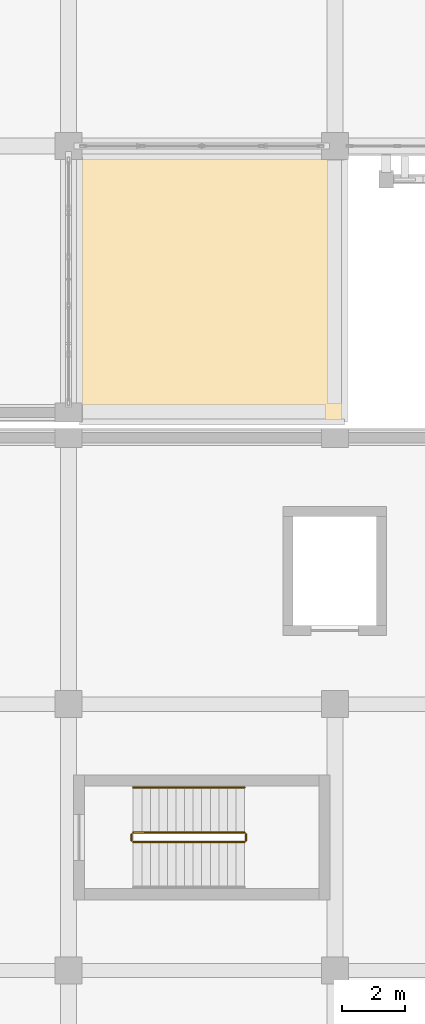
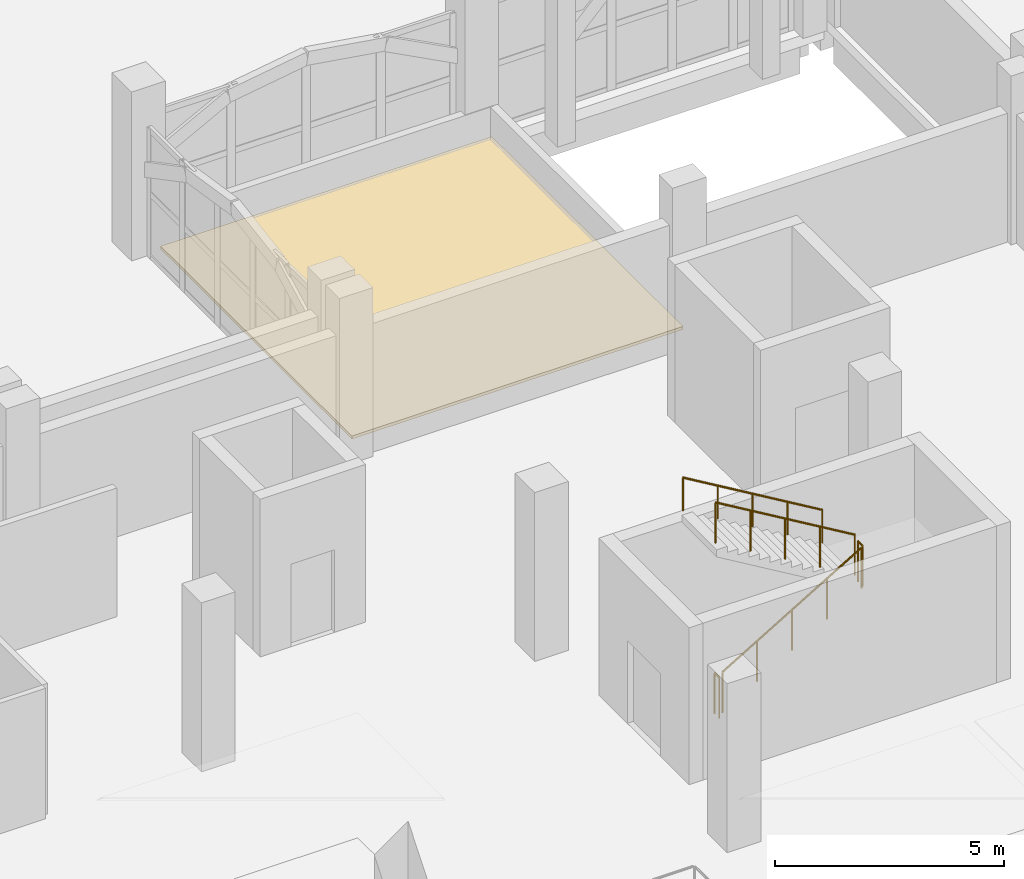
# One storey, part 126 of 137: 5 railings, 1 covering.
"""IFC4 building model written with IfcOpenShell, lengths in metres."""

from ifc_helpers import new_model, si_unit, direction, frame, origin, origin_2d, place, context, subcontext, project, spatial, polyline, circle, outline, extrude, material, layer, layer_set, type_object, element, save


model = new_model("IFC4")

# Units and contexts
model_context = context("Model", 3, precision=1e-05, world=origin(), true_north=direction((0.0, 1.0)))
body_context = subcontext(model_context, "Body", "Model", "MODEL_VIEW")
ifc_project = project(units=[si_unit("LENGTHUNIT", "METRE"), si_unit("AREAUNIT", "SQUARE_METRE"), si_unit("VOLUMEUNIT", "CUBIC_METRE"), si_unit("PLANEANGLEUNIT", "RADIAN"), si_unit("MASSUNIT", "GRAM", prefix="KILO")], contexts=[model_context])

# Site, building, storey
site_placement = place(None, origin())
site = spatial("IfcSite", under=ifc_project, at=site_placement, CompositionType="ELEMENT")
building_placement = place(site_placement, origin())
building = spatial("IfcBuilding", under=site, at=building_placement, Name="Xazarin Passage Department Store", CompositionType="ELEMENT")
storey_placement = place(building_placement, frame((0.0, 0.0, 5.39990234375)))
storey = spatial("IfcBuildingStorey", under=building, at=storey_placement, Name="L01", CompositionType="ELEMENT", Elevation=5.39990234375)

# Covering
ifc_material_1 = material(Name="Insulated waterproof roofing membrane")
ifc_layer = layer(ifc_material_1, 0.080078125)
ifc_layer_set = layer_set([ifc_layer], Name="Insulated waterproof roofing membrane")
covering_type = type_object("IfcCoveringType", Name="ARC-COV-RFG080", PredefinedType="ROOFING", material=ifc_layer_set)
covering_placement = place(storey_placement, origin())
element("IfcCovering", 1, at=covering_placement, inside=storey, type_object=covering_type, Name="L01 Insulated Roofing Membrane SLB-V1-L01-STEP-1", PredefinedType="ROOFING", context=body_context, shape_type="SweptSolid", body=[
    extrude(outline(polyline([(50.75, 59.25), (50.75, 50.89990234375), (59.10009765625, 50.89990234375), (59.10009765625, 59.25), (50.75, 59.25)])), origin(), (0.0, 0.0, 1.0), 0.080078125),
])

# Railings
ifc_material_2 = material(Name="Steel S355", Category="steel")
railing_type_1 = type_object("IfcRailingType", Name="ARC-RL-GRD112", PredefinedType="GUARDRAIL", material=ifc_material_2)
railing_1_placement = place(storey_placement, frame((52.43994140625, 37.64990234375, 0.160888671875)))
element("IfcRailing", 2, at=railing_1_placement, inside=storey, type_object=railing_type_1, Name="L01 ST9 stair guard 1", PredefinedType="GUARDRAIL", context=body_context, shape_type="SweptSolid", body=[
    extrude(circle(Radius=0.02392578125, at=origin_2d()), frame((0.0, 0.0, 1.076171875), z_axis=(0.859312273368, 0.0, 0.511451284914), x_axis=(0.0, 1.0, 0.0)), (0.0, 0.0, 1.0), 4.084716796875),
    extrude(circle(Radius=0.02099609375, at=origin_2d()), origin(), (0.0, 0.0, 1.0), 1.0517578125),
    extrude(circle(Radius=0.02099609375, at=origin_2d()), frame((0.87744140625, 0.0, 0.522216796875)), (0.0, 0.0, 1.0), 1.0517578125),
    extrude(circle(Radius=0.02099609375, at=origin_2d()), frame((1.7548828125, 0.0, 1.04443359375)), (0.0, 0.0, 1.0), 1.0517578125),
    extrude(circle(Radius=0.02099609375, at=origin_2d()), frame((2.632568359375, 0.0, 1.56689453125)), (0.0, 0.0, 1.0), 1.0517578125),
    extrude(circle(Radius=0.02099609375, at=origin_2d()), frame((3.510009765625, 0.0, 2.089111328125)), (0.0, 0.0, 1.0), 1.0517578125),
])
railing_2_placement = place(storey_placement, frame((56.0, 37.699951171875, 2.25)))
element("IfcRailing", 3, at=railing_2_placement, inside=storey, type_object=railing_type_1, Name="L01 ST9 stair guard 2", PredefinedType="GUARDRAIL", context=body_context, shape_type="SweptSolid", body=[
    extrude(circle(Radius=0.02392578125, at=origin_2d()), frame((0.0, 0.0, 1.076171875), z_axis=(0.0, 1.0, 0.0), x_axis=(-1.0, 0.0, 0.0)), (0.0, 0.0, 1.0), 0.199951171875),
    extrude(circle(Radius=0.02099609375, at=origin_2d()), origin(), (0.0, 0.0, 1.0), 1.0517578125),
    extrude(circle(Radius=0.02099609375, at=origin_2d()), frame((0.0, 0.199951171875, 0.0)), (0.0, 0.0, 1.0), 1.0517578125),
])
railing_3_placement = place(storey_placement, frame((55.949951171875, 37.949951171875, 2.410888671875)))
element("IfcRailing", 4, at=railing_3_placement, inside=storey, type_object=railing_type_1, Name="L01 ST9 stair guard 3", PredefinedType="GUARDRAIL", context=body_context, shape_type="SweptSolid", body=[
    extrude(circle(Radius=0.02392578125, at=origin_2d()), frame((0.0, 0.0, 1.076171875), z_axis=(-0.859312273368, 0.0, 0.511451284914), x_axis=(0.0, -1.0, 0.0)), (0.0, 0.0, 1.0), 4.084716796875),
    extrude(circle(Radius=0.02099609375, at=origin_2d()), origin(), (0.0, 0.0, 1.0), 1.0517578125),
    extrude(circle(Radius=0.02099609375, at=origin_2d()), frame((-0.87744140625, 0.0, 0.522216796875)), (0.0, 0.0, 1.0), 1.0517578125),
    extrude(circle(Radius=0.02099609375, at=origin_2d()), frame((-1.7548828125, 0.0, 1.04443359375)), (0.0, 0.0, 1.0), 1.0517578125),
    extrude(circle(Radius=0.02099609375, at=origin_2d()), frame((-2.632568359375, 0.0, 1.56689453125)), (0.0, 0.0, 1.0), 1.0517578125),
    extrude(circle(Radius=0.02099609375, at=origin_2d()), frame((-3.510009765625, 0.0, 2.089111328125)), (0.0, 0.0, 1.0), 1.0517578125),
])
railing_4_placement = place(storey_placement, frame((52.389892578125, 37.699951171875, 0.0)))
element("IfcRailing", 5, at=railing_4_placement, inside=storey, type_object=railing_type_1, Name="L01 ST9 stair guard 4", PredefinedType="GUARDRAIL", context=body_context, shape_type="SweptSolid", body=[
    extrude(circle(Radius=0.02392578125, at=origin_2d()), frame((0.0, 0.0, 1.076171875), z_axis=(0.0, 1.0, 0.0), x_axis=(-1.0, 0.0, 0.0)), (0.0, 0.0, 1.0), 0.199951171875),
    extrude(circle(Radius=0.02099609375, at=origin_2d()), origin(), (0.0, 0.0, 1.0), 1.0517578125),
    extrude(circle(Radius=0.02099609375, at=origin_2d()), frame((0.0, 0.199951171875, 0.0)), (0.0, 0.0, 1.0), 1.0517578125),
])
railing_type_2 = type_object("IfcRailingType", Name="ARC-RL-HND090", PredefinedType="HANDRAIL", material=ifc_material_2)
railing_5_placement = place(storey_placement, frame((55.949951171875, 39.3701171875, 2.410888671875)))
element("IfcRailing", 6, at=railing_5_placement, inside=storey, type_object=railing_type_2, Name="L01 ST9 stair handrail 2", PredefinedType="HANDRAIL", context=body_context, shape_type="SweptSolid", body=[
    extrude(circle(Radius=0.02392578125, at=origin_2d()), frame((0.0, 0.0, 0.8759765625), z_axis=(-0.859312273368, 0.0, 0.511451284914), x_axis=(0.0, -1.0, 0.0)), (0.0, 0.0, 1.0), 4.084716796875),
    extrude(circle(Radius=0.02099609375, at=origin_2d()), origin(), (0.0, 0.0, 1.0), 0.8515625),
    extrude(circle(Radius=0.02099609375, at=origin_2d()), frame((-0.87744140625, 0.0, 0.522216796875)), (0.0, 0.0, 1.0), 0.8515625),
    extrude(circle(Radius=0.02099609375, at=origin_2d()), frame((-1.7548828125, 0.0, 1.04443359375)), (0.0, 0.0, 1.0), 0.8515625),
    extrude(circle(Radius=0.02099609375, at=origin_2d()), frame((-2.632568359375, 0.0, 1.56689453125)), (0.0, 0.0, 1.0), 0.8515625),
    extrude(circle(Radius=0.02099609375, at=origin_2d()), frame((-3.510009765625, 0.0, 2.089111328125)), (0.0, 0.0, 1.0), 0.8515625),
])

save(model, "model.ifc")
